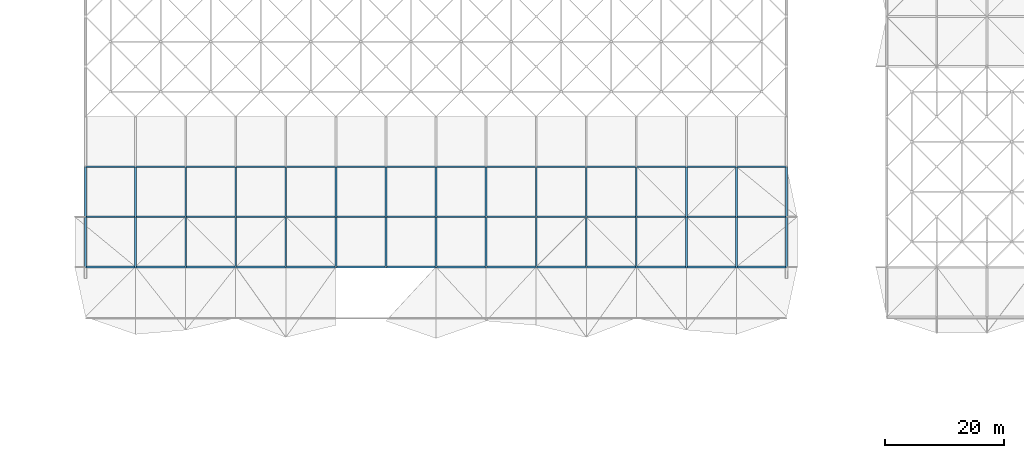
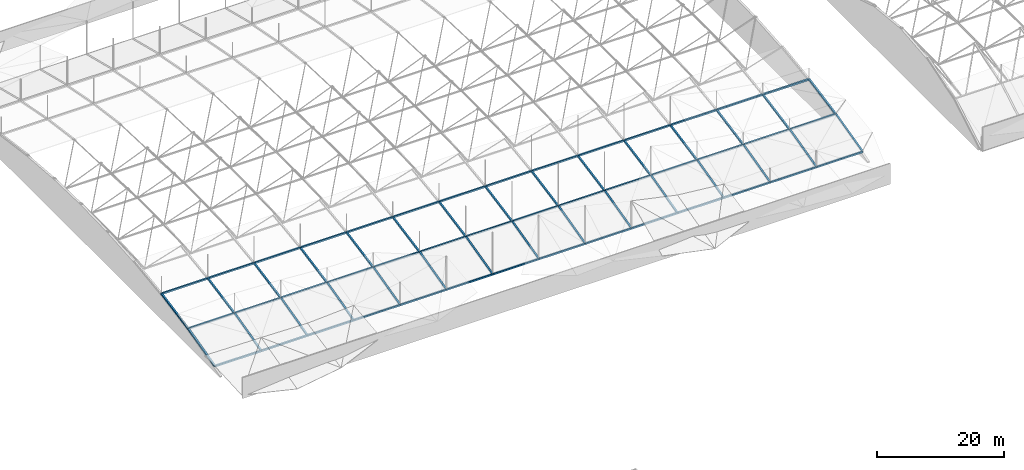
# One storey, part 1 of 111: 72 members.
"""IFC4 building model written with IfcOpenShell, lengths in metres."""

import ifcopenshell
import ifcopenshell.guid

model = None  # the IFC model being written
_history = None  # IfcOwnerHistory: only IFC2X3 demands one
_inside = {}  # id of a spatial element -> (the spatial element, [elements in it])
_under = {}  # id of a project, library or spatial element -> (it, [spatial elements below it])
_declared = {}  # id of a project -> (the project, [libraries it declares])
_typed = {}  # id of a type object -> (the type object, [elements of that type])
_made_of = {}  # id of a material, layer set ... -> (it, [elements and type objects made of it])


def new_model(schema):
    """Start an empty IFC model of exactly this schema.

    Asked for "IFC4X3", IfcOpenShell would pick the latest addendum, in which some entities
    have other attributes; the version numbers below select the first issue.
    IFC2X3 requires an IfcOwnerHistory on every rooted entity: one is made here for all.
    """
    global model, _history
    if schema == "IFC4X3":
        model = ifcopenshell.file(schema_version=(4, 3, 0, 0))
    else:
        model = ifcopenshell.file(schema=schema)
    _inside.clear()
    _under.clear()
    _declared.clear()
    _typed.clear()
    _made_of.clear()
    _history = None
    if model.schema == "IFC2X3":
        org = make("IfcOrganization", Name="unknown")
        user = make(
            "IfcPersonAndOrganization",
            ThePerson=make("IfcPerson", FamilyName="unknown"),
            TheOrganization=org,
        )
        app = make(
            "IfcApplication",
            ApplicationDeveloper=org,
            Version="unknown",
            ApplicationFullName="unknown",
            ApplicationIdentifier="unknown",
        )
        _history = make(
            "IfcOwnerHistory",
            OwningUser=user,
            OwningApplication=app,
            ChangeAction="ADDED",
            CreationDate=0,
        )
    return model


def make(cls, **values):
    """One entity of the class cls with the attributes given. An attribute that is None is left unset."""
    return model.create_entity(
        cls, **{name: value for name, value in values.items() if value is not None}
    )


def rooted(cls, **values):
    """An entity with a GlobalId (a new one), such as an element, a storey or a relation."""
    return make(cls, GlobalId=ifcopenshell.guid.new(), OwnerHistory=_history, **values)


def si_unit(unit_type, name, prefix=None):
    """IfcSIUnit, for example si_unit("LENGTHUNIT", "METRE", prefix="MILLI")."""
    return make("IfcSIUnit", UnitType=unit_type, Prefix=prefix, Name=name)


def assignment(units):
    """IfcUnitAssignment: the units of a project."""
    return None if units is None else make("IfcUnitAssignment", Units=units)


def point(xyz):
    """IfcCartesianPoint."""
    return None if xyz is None else make("IfcCartesianPoint", Coordinates=xyz)


def direction(xyz):
    """IfcDirection."""
    return None if xyz is None else make("IfcDirection", DirectionRatios=xyz)


def frame(location, z_axis=None, x_axis=None):
    """IfcAxis2Placement3D, a coordinate frame: its origin and axes. An axis left out is left unset."""
    return make(
        "IfcAxis2Placement3D",
        Location=point(location),
        Axis=direction(z_axis),
        RefDirection=direction(x_axis),
    )


def frame_2d(location, x_axis=None):
    """IfcAxis2Placement2D, a coordinate frame in the plane: its origin and x axis."""
    return make(
        "IfcAxis2Placement2D", Location=point(location), RefDirection=direction(x_axis)
    )


def origin():
    """The frame at (0, 0, 0) with its axes left unset."""
    return frame((0.0, 0.0, 0.0))


def origin_2d():
    """The frame at (0, 0) in the plane with its x axis left unset."""
    return frame_2d((0.0, 0.0))


def place(relative_to, where):
    """IfcLocalPlacement: puts the frame where relative to a parent placement (None: the world)."""
    return make(
        "IfcLocalPlacement", PlacementRelTo=relative_to, RelativePlacement=where
    )


def context(
    kind, dimensions, precision=None, world=None, true_north=None, identifier=None
):
    """IfcGeometricRepresentationContext, for example the 3D "Model" context."""
    return make(
        "IfcGeometricRepresentationContext",
        ContextIdentifier=identifier,
        ContextType=kind,
        CoordinateSpaceDimension=dimensions,
        Precision=precision,
        WorldCoordinateSystem=world,
        TrueNorth=true_north,
    )


def subcontext(parent, identifier, kind, view, scale=None):
    """IfcGeometricRepresentationSubContext, for example "Body" below "Model"."""
    return make(
        "IfcGeometricRepresentationSubContext",
        ContextIdentifier=identifier,
        ContextType=kind,
        ParentContext=parent,
        TargetScale=scale,
        TargetView=view,
    )


def project(units=None, contexts=None):
    """IfcProject with its units and contexts."""
    return rooted(
        "IfcProject",
        Name="project",
        RepresentationContexts=contexts,
        UnitsInContext=assignment(units),
    )


def spatial(cls, under=None, at=None, **own):
    """A site, building, storey or space (cls), placed at a placement, below another one or the project."""
    s = rooted(cls, ObjectPlacement=at, **own)
    if under is not None:
        _under.setdefault(under.id(), (under, []))[1].append(s)
    return s


def profile(cls, at=None, kind="AREA", **sizes):
    """A parametric profile (cls). Its sizes go by their IFC names, for example OverallWidth=200.0."""
    return make(cls, ProfileType=kind, Position=at, **sizes)


def hollow_rectangle(**sizes):
    """IfcRectangleHollowProfileDef."""
    return profile("IfcRectangleHollowProfileDef", **sizes)


def extrude(swept, where, along, depth):
    """IfcExtrudedAreaSolid: the profile swept, set in the frame where, extruded along a direction by depth."""
    return make(
        "IfcExtrudedAreaSolid",
        SweptArea=swept,
        Position=where,
        ExtrudedDirection=direction(along),
        Depth=depth,
    )


def shape(context_of_items, identifier, shape_type, items):
    """IfcShapeRepresentation: the items that make up one representation, for example the "Body"."""
    return make(
        "IfcShapeRepresentation",
        ContextOfItems=context_of_items,
        RepresentationIdentifier=identifier,
        RepresentationType=shape_type,
        Items=items,
    )


def material(Name=None, Category=None):
    """IfcMaterial."""
    return make("IfcMaterial", Name=Name, Category=Category)


def material_profile(
    of_material, cross_section, Name=None, Category=None, Priority=None
):
    """IfcMaterialProfile: a cross section and its material."""
    return make(
        "IfcMaterialProfile",
        Name=Name,
        Material=of_material,
        Profile=cross_section,
        Priority=Priority,
        Category=Category,
    )


def profile_set(profiles, Name=None, composite=None):
    """IfcMaterialProfileSet."""
    return make(
        "IfcMaterialProfileSet",
        Name=Name,
        MaterialProfiles=profiles,
        CompositeProfile=composite,
    )


def made_of(thing, what):
    """Note that an element or type object is made of a material, layer set ...; save() writes the relation."""
    if what is not None:
        _made_of.setdefault(what.id(), (what, []))[1].append(thing)
    return thing


def type_object(cls, material=None, **own):
    """A type object (cls), such as IfcWallType, which elements share."""
    return made_of(rooted(cls, **own), material)


def element(
    cls,
    number,
    at=None,
    inside=None,
    cuts=None,
    type_object=None,
    material=None,
    context=None,
    identifier="Body",
    shape_type=None,
    held_by="IfcProductDefinitionShape",
    body=None,
    shapes=None,
    **own,
):
    """One element of the class cls, such as IfcWall. Its Tag is "e" and its number.

    at: its placement. inside: the storey or other place that contains it. cuts: it is an
    opening in that element (IfcRelVoidsElement). A single representation is given by context,
    identifier, shape_type and body (its items); several are given by shapes. held_by: the class
    of the entity that holds the representations. save() writes the other relations.
    """
    e = rooted(cls, Tag="e%d" % number, ObjectPlacement=at, **own)
    if body is not None:
        shapes = [shape(context, identifier, shape_type, body)]
    if shapes is not None:
        e.Representation = make(held_by, Representations=shapes)
    if inside is not None:
        _inside.setdefault(inside.id(), (inside, []))[1].append(e)
    if cuts is not None:
        rooted(
            "IfcRelVoidsElement", RelatingBuildingElement=cuts, RelatedOpeningElement=e
        )
    if type_object is not None:
        _typed.setdefault(type_object.id(), (type_object, []))[1].append(e)
    return made_of(e, material)


def aggregate(whole, parts):
    """IfcRelAggregates: a whole, such as a stair, and the parts it consists of."""
    return rooted("IfcRelAggregates", RelatingObject=whole, RelatedObjects=parts)


def save(model, path):
    """Write the relations noted so far, then the file.

    IfcRelAggregates (storeys below a building ...), IfcRelContainedInSpatialStructure (elements
    in a storey), IfcRelDefinesByType, IfcRelAssociatesMaterial and IfcRelDeclares: one each for
    every whole, place, type object, material and project.
    """
    for whole, parts in _under.values():
        aggregate(whole, parts)
    for where, things in _inside.values():
        rooted(
            "IfcRelContainedInSpatialStructure",
            RelatedElements=things,
            RelatingStructure=where,
        )
    for kind, things in _typed.values():
        rooted("IfcRelDefinesByType", RelatedObjects=things, RelatingType=kind)
    for what, things in _made_of.values():
        rooted("IfcRelAssociatesMaterial", RelatedObjects=things, RelatingMaterial=what)
    for by, libraries in _declared.values():
        rooted("IfcRelDeclares", RelatingContext=by, RelatedDefinitions=libraries)
    model.write(path)


model = new_model("IFC4")

# Units and contexts
model_context = context("Model", 3, precision=1e-05, world=origin(), true_north=direction((0.0, 1.0)))
body_context = subcontext(model_context, "Body", "Model", "MODEL_VIEW")
ifc_project = project(units=[si_unit("LENGTHUNIT", "METRE"), si_unit("AREAUNIT", "SQUARE_METRE"), si_unit("VOLUMEUNIT", "CUBIC_METRE"), si_unit("PLANEANGLEUNIT", "RADIAN"), si_unit("MASSUNIT", "GRAM", prefix="KILO")], contexts=[model_context])

# Site, building, storey
site_placement = place(None, origin())
site = spatial("IfcSite", under=ifc_project, at=site_placement, CompositionType="ELEMENT")
building_placement = place(site_placement, origin())
building = spatial("IfcBuilding", under=site, at=building_placement, Name="Rain Tree Exposition and Congress Centre", CompositionType="ELEMENT")
storey_placement = place(building_placement, frame((0.0, 0.0, 19.5)))
storey = spatial("IfcBuildingStorey", under=building, at=storey_placement, Name="RF", CompositionType="ELEMENT", Elevation=19.5)

# Members
ifc_material = material(Name="Steel S355J2H", Category="steel")
ifc_material_profile = material_profile(ifc_material, hollow_rectangle(XDim=0.300048828125, YDim=0.300048828125, WallThickness=0.009033203125, at=origin_2d()), Name="RHS 300x300x9")
ifc_profile_set = profile_set([ifc_material_profile], Name="Steel S355J2H")
member_type = type_object("IfcMemberType", Name="Steel chord member RHS 300x300x9", PredefinedType="CHORD", material=ifc_profile_set)
member_1_placement = place(storey_placement, frame((8.39990234375, 109.199951171875, 0.966796875), z_axis=(1.0, 0.0, 0.0), x_axis=(0.0, 1.0, 0.0)))
element("IfcMember", 1, at=member_1_placement, inside=storey, type_object=member_type, Name="Top chord 15", PredefinedType="CHORD", context=body_context, shape_type="SweptSolid", body=[
    extrude(hollow_rectangle(XDim=0.300048828125, YDim=0.300048828125, WallThickness=0.009033203125, at=origin_2d()), origin(), (0.0, 0.0, 1.0), 8.400146484375),
])
member_2_placement = place(storey_placement, frame((16.800048828125, 109.199951171875, 0.966796875), z_axis=(1.0, 0.0, 0.0), x_axis=(0.0, 1.0, 0.0)))
element("IfcMember", 2, at=member_2_placement, inside=storey, type_object=member_type, Name="Top chord 16", PredefinedType="CHORD", context=body_context, shape_type="SweptSolid", body=[
    extrude(hollow_rectangle(XDim=0.300048828125, YDim=0.300048828125, WallThickness=0.009033203125, at=origin_2d()), origin(), (0.0, 0.0, 1.0), 8.39990234375),
])
member_3_placement = place(storey_placement, frame((25.199951171875, 109.199951171875, 0.966796875), z_axis=(1.0, 0.0, 0.0), x_axis=(0.0, 1.0, 0.0)))
element("IfcMember", 3, at=member_3_placement, inside=storey, type_object=member_type, Name="Top chord 17", PredefinedType="CHORD", context=body_context, shape_type="SweptSolid", body=[
    extrude(hollow_rectangle(XDim=0.300048828125, YDim=0.300048828125, WallThickness=0.009033203125, at=origin_2d()), origin(), (0.0, 0.0, 1.0), 8.400146484375),
])
for number, where, z_axis, x_axis, name in (
    (4, (33.60009765625, 109.199951171875, 0.966796875), (1.0, 0.0, 0.0), (0.0, 1.0, 0.0), "Top chord 18"),
    (5, (42.0, 109.199951171875, 0.966796875), (1.0, 0.0, 0.0), (0.0, 1.0, 0.0), "Top chord 19"),
):
    element("IfcMember", number, at=place(storey_placement, frame(where, z_axis=z_axis, x_axis=x_axis)), inside=storey, type_object=member_type, Name=name, PredefinedType="CHORD", context=body_context, shape_type="SweptSolid", body=[
        extrude(hollow_rectangle(XDim=0.300048828125, YDim=0.300048828125, WallThickness=0.009033203125, at=origin_2d()), origin(), (0.0, 0.0, 1.0), 8.39990234375),
    ])
member_4_placement = place(storey_placement, frame((50.39990234375, 109.199951171875, 0.966796875), z_axis=(1.0, 0.0, 0.0), x_axis=(0.0, 1.0, 0.0)))
element("IfcMember", 6, at=member_4_placement, inside=storey, type_object=member_type, Name="Top chord 20", PredefinedType="CHORD", context=body_context, shape_type="SweptSolid", body=[
    extrude(hollow_rectangle(XDim=0.300048828125, YDim=0.300048828125, WallThickness=0.009033203125, at=origin_2d()), origin(), (0.0, 0.0, 1.0), 8.400146484375),
])
member_5_placement = place(storey_placement, frame((58.800048828125, 109.199951171875, 0.966796875), z_axis=(1.0, 0.0, 0.0), x_axis=(0.0, 1.0, 0.0)))
element("IfcMember", 7, at=member_5_placement, inside=storey, type_object=member_type, Name="Top chord 21", PredefinedType="CHORD", context=body_context, shape_type="SweptSolid", body=[
    extrude(hollow_rectangle(XDim=0.300048828125, YDim=0.300048828125, WallThickness=0.009033203125, at=origin_2d()), origin(), (0.0, 0.0, 1.0), 8.39990234375),
])
member_6_placement = place(storey_placement, frame((67.199951171875, 109.199951171875, 0.966796875), z_axis=(1.0, 0.0, 0.0), x_axis=(0.0, 1.0, 0.0)))
element("IfcMember", 8, at=member_6_placement, inside=storey, type_object=member_type, Name="Top chord 22", PredefinedType="CHORD", context=body_context, shape_type="SweptSolid", body=[
    extrude(hollow_rectangle(XDim=0.300048828125, YDim=0.300048828125, WallThickness=0.009033203125, at=origin_2d()), origin(), (0.0, 0.0, 1.0), 8.400146484375),
])
for number, where, z_axis, x_axis, name in (
    (9, (75.60009765625, 109.199951171875, 0.966796875), (1.0, 0.0, 0.0), (0.0, 1.0, 0.0), "Top chord 23"),
    (10, (84.0, 109.199951171875, 0.966796875), (1.0, 0.0, 0.0), (0.0, 1.0, 0.0), "Top chord 24"),
):
    element("IfcMember", number, at=place(storey_placement, frame(where, z_axis=z_axis, x_axis=x_axis)), inside=storey, type_object=member_type, Name=name, PredefinedType="CHORD", context=body_context, shape_type="SweptSolid", body=[
        extrude(hollow_rectangle(XDim=0.300048828125, YDim=0.300048828125, WallThickness=0.009033203125, at=origin_2d()), origin(), (0.0, 0.0, 1.0), 8.39990234375),
    ])
member_7_placement = place(storey_placement, frame((92.39990234375, 109.199951171875, 0.966796875), z_axis=(1.0, 0.0, 0.0), x_axis=(0.0, 1.0, 0.0)))
element("IfcMember", 11, at=member_7_placement, inside=storey, type_object=member_type, Name="Top chord 25", PredefinedType="CHORD", context=body_context, shape_type="SweptSolid", body=[
    extrude(hollow_rectangle(XDim=0.300048828125, YDim=0.300048828125, WallThickness=0.009033203125, at=origin_2d()), origin(), (0.0, 0.0, 1.0), 8.400146484375),
])
member_8_placement = place(storey_placement, frame((100.800048828125, 109.199951171875, 0.966796875), z_axis=(1.0, 0.0, 0.0), x_axis=(0.0, 1.0, 0.0)))
element("IfcMember", 12, at=member_8_placement, inside=storey, type_object=member_type, Name="Top chord 26", PredefinedType="CHORD", context=body_context, shape_type="SweptSolid", body=[
    extrude(hollow_rectangle(XDim=0.300048828125, YDim=0.300048828125, WallThickness=0.009033203125, at=origin_2d()), origin(), (0.0, 0.0, 1.0), 8.39990234375),
])
member_9_placement = place(storey_placement, frame((109.199951171875, 109.199951171875, 0.966796875), z_axis=(1.0, 0.0, 0.0), x_axis=(0.0, 1.0, 0.0)))
element("IfcMember", 13, at=member_9_placement, inside=storey, type_object=member_type, Name="Top chord 27", PredefinedType="CHORD", context=body_context, shape_type="SweptSolid", body=[
    extrude(hollow_rectangle(XDim=0.300048828125, YDim=0.300048828125, WallThickness=0.009033203125, at=origin_2d()), origin(), (0.0, 0.0, 1.0), 8.400146484375),
])
member_10_placement = place(storey_placement, frame((117.60009765625, 109.199951171875, 0.966796875), z_axis=(1.0, 0.0, 0.0), x_axis=(0.0, 1.0, 0.0)))
element("IfcMember", 14, at=member_10_placement, inside=storey, type_object=member_type, Name="Top chord 28", PredefinedType="CHORD", context=body_context, shape_type="SweptSolid", body=[
    extrude(hollow_rectangle(XDim=0.300048828125, YDim=0.300048828125, WallThickness=0.009033203125, at=origin_2d()), origin(), (0.0, 0.0, 1.0), 8.39990234375),
])
member_11_placement = place(storey_placement, frame((8.39990234375, 117.60009765625, 3.07421875), z_axis=(1.0, 0.0, 0.0), x_axis=(0.0, 1.0, 0.0)))
element("IfcMember", 15, at=member_11_placement, inside=storey, type_object=member_type, Name="Top chord 29", PredefinedType="CHORD", context=body_context, shape_type="SweptSolid", body=[
    extrude(hollow_rectangle(XDim=0.300048828125, YDim=0.300048828125, WallThickness=0.009033203125, at=origin_2d()), origin(), (0.0, 0.0, 1.0), 8.400146484375),
])
member_12_placement = place(storey_placement, frame((16.800048828125, 117.60009765625, 3.07421875), z_axis=(1.0, 0.0, 0.0), x_axis=(0.0, 1.0, 0.0)))
element("IfcMember", 16, at=member_12_placement, inside=storey, type_object=member_type, Name="Top chord 30", PredefinedType="CHORD", context=body_context, shape_type="SweptSolid", body=[
    extrude(hollow_rectangle(XDim=0.300048828125, YDim=0.300048828125, WallThickness=0.009033203125, at=origin_2d()), origin(), (0.0, 0.0, 1.0), 8.39990234375),
])
member_13_placement = place(storey_placement, frame((25.199951171875, 117.60009765625, 3.07421875), z_axis=(1.0, 0.0, 0.0), x_axis=(0.0, 1.0, 0.0)))
element("IfcMember", 17, at=member_13_placement, inside=storey, type_object=member_type, Name="Top chord 31", PredefinedType="CHORD", context=body_context, shape_type="SweptSolid", body=[
    extrude(hollow_rectangle(XDim=0.300048828125, YDim=0.300048828125, WallThickness=0.009033203125, at=origin_2d()), origin(), (0.0, 0.0, 1.0), 8.400146484375),
])
for number, where, z_axis, x_axis, name in (
    (18, (33.60009765625, 117.60009765625, 3.07421875), (1.0, 0.0, 0.0), (0.0, 1.0, 0.0), "Top chord 32"),
    (19, (42.0, 117.60009765625, 3.07421875), (1.0, 0.0, 0.0), (0.0, 1.0, 0.0), "Top chord 33"),
):
    element("IfcMember", number, at=place(storey_placement, frame(where, z_axis=z_axis, x_axis=x_axis)), inside=storey, type_object=member_type, Name=name, PredefinedType="CHORD", context=body_context, shape_type="SweptSolid", body=[
        extrude(hollow_rectangle(XDim=0.300048828125, YDim=0.300048828125, WallThickness=0.009033203125, at=origin_2d()), origin(), (0.0, 0.0, 1.0), 8.39990234375),
    ])
member_14_placement = place(storey_placement, frame((50.39990234375, 117.60009765625, 3.07421875), z_axis=(1.0, 0.0, 0.0), x_axis=(0.0, 1.0, 0.0)))
element("IfcMember", 20, at=member_14_placement, inside=storey, type_object=member_type, Name="Top chord 34", PredefinedType="CHORD", context=body_context, shape_type="SweptSolid", body=[
    extrude(hollow_rectangle(XDim=0.300048828125, YDim=0.300048828125, WallThickness=0.009033203125, at=origin_2d()), origin(), (0.0, 0.0, 1.0), 8.400146484375),
])
member_15_placement = place(storey_placement, frame((58.800048828125, 117.60009765625, 3.07421875), z_axis=(1.0, 0.0, 0.0), x_axis=(0.0, 1.0, 0.0)))
element("IfcMember", 21, at=member_15_placement, inside=storey, type_object=member_type, Name="Top chord 35", PredefinedType="CHORD", context=body_context, shape_type="SweptSolid", body=[
    extrude(hollow_rectangle(XDim=0.300048828125, YDim=0.300048828125, WallThickness=0.009033203125, at=origin_2d()), origin(), (0.0, 0.0, 1.0), 8.39990234375),
])
member_16_placement = place(storey_placement, frame((67.199951171875, 117.60009765625, 3.07421875), z_axis=(1.0, 0.0, 0.0), x_axis=(0.0, 1.0, 0.0)))
element("IfcMember", 22, at=member_16_placement, inside=storey, type_object=member_type, Name="Top chord 36", PredefinedType="CHORD", context=body_context, shape_type="SweptSolid", body=[
    extrude(hollow_rectangle(XDim=0.300048828125, YDim=0.300048828125, WallThickness=0.009033203125, at=origin_2d()), origin(), (0.0, 0.0, 1.0), 8.400146484375),
])
for number, where, z_axis, x_axis, name in (
    (23, (75.60009765625, 117.60009765625, 3.07421875), (1.0, 0.0, 0.0), (0.0, 1.0, 0.0), "Top chord 37"),
    (24, (84.0, 117.60009765625, 3.07421875), (1.0, 0.0, 0.0), (0.0, 1.0, 0.0), "Top chord 38"),
):
    element("IfcMember", number, at=place(storey_placement, frame(where, z_axis=z_axis, x_axis=x_axis)), inside=storey, type_object=member_type, Name=name, PredefinedType="CHORD", context=body_context, shape_type="SweptSolid", body=[
        extrude(hollow_rectangle(XDim=0.300048828125, YDim=0.300048828125, WallThickness=0.009033203125, at=origin_2d()), origin(), (0.0, 0.0, 1.0), 8.39990234375),
    ])
member_17_placement = place(storey_placement, frame((92.39990234375, 117.60009765625, 3.07421875), z_axis=(1.0, 0.0, 0.0), x_axis=(0.0, 1.0, 0.0)))
element("IfcMember", 25, at=member_17_placement, inside=storey, type_object=member_type, Name="Top chord 39", PredefinedType="CHORD", context=body_context, shape_type="SweptSolid", body=[
    extrude(hollow_rectangle(XDim=0.300048828125, YDim=0.300048828125, WallThickness=0.009033203125, at=origin_2d()), origin(), (0.0, 0.0, 1.0), 8.400146484375),
])
member_18_placement = place(storey_placement, frame((100.800048828125, 117.60009765625, 3.07421875), z_axis=(1.0, 0.0, 0.0), x_axis=(0.0, 1.0, 0.0)))
element("IfcMember", 26, at=member_18_placement, inside=storey, type_object=member_type, Name="Top chord 40", PredefinedType="CHORD", context=body_context, shape_type="SweptSolid", body=[
    extrude(hollow_rectangle(XDim=0.300048828125, YDim=0.300048828125, WallThickness=0.009033203125, at=origin_2d()), origin(), (0.0, 0.0, 1.0), 8.39990234375),
])
member_19_placement = place(storey_placement, frame((109.199951171875, 117.60009765625, 3.07421875), z_axis=(1.0, 0.0, 0.0), x_axis=(0.0, 1.0, 0.0)))
element("IfcMember", 27, at=member_19_placement, inside=storey, type_object=member_type, Name="Top chord 41", PredefinedType="CHORD", context=body_context, shape_type="SweptSolid", body=[
    extrude(hollow_rectangle(XDim=0.300048828125, YDim=0.300048828125, WallThickness=0.009033203125, at=origin_2d()), origin(), (0.0, 0.0, 1.0), 8.400146484375),
])
member_20_placement = place(storey_placement, frame((117.60009765625, 117.60009765625, 3.07421875), z_axis=(1.0, 0.0, 0.0), x_axis=(0.0, 1.0, 0.0)))
element("IfcMember", 28, at=member_20_placement, inside=storey, type_object=member_type, Name="Top chord 42", PredefinedType="CHORD", context=body_context, shape_type="SweptSolid", body=[
    extrude(hollow_rectangle(XDim=0.300048828125, YDim=0.300048828125, WallThickness=0.009033203125, at=origin_2d()), origin(), (0.0, 0.0, 1.0), 8.39990234375),
])
member_21_placement = place(storey_placement, frame((8.39990234375, 126.0, 4.693115234375), z_axis=(1.0, 0.0, 0.0), x_axis=(0.0, 1.0, 0.0)))
element("IfcMember", 29, at=member_21_placement, inside=storey, type_object=member_type, Name="Top chord 43", PredefinedType="CHORD", context=body_context, shape_type="SweptSolid", body=[
    extrude(hollow_rectangle(XDim=0.300048828125, YDim=0.300048828125, WallThickness=0.009033203125, at=origin_2d()), origin(), (0.0, 0.0, 1.0), 8.400146484375),
])
member_22_placement = place(storey_placement, frame((16.800048828125, 126.0, 4.693115234375), z_axis=(1.0, 0.0, 0.0), x_axis=(0.0, 1.0, 0.0)))
element("IfcMember", 30, at=member_22_placement, inside=storey, type_object=member_type, Name="Top chord 44", PredefinedType="CHORD", context=body_context, shape_type="SweptSolid", body=[
    extrude(hollow_rectangle(XDim=0.300048828125, YDim=0.300048828125, WallThickness=0.009033203125, at=origin_2d()), origin(), (0.0, 0.0, 1.0), 8.39990234375),
])
member_23_placement = place(storey_placement, frame((25.199951171875, 126.0, 4.693115234375), z_axis=(1.0, 0.0, 0.0), x_axis=(0.0, 1.0, 0.0)))
element("IfcMember", 31, at=member_23_placement, inside=storey, type_object=member_type, Name="Top chord 45", PredefinedType="CHORD", context=body_context, shape_type="SweptSolid", body=[
    extrude(hollow_rectangle(XDim=0.300048828125, YDim=0.300048828125, WallThickness=0.009033203125, at=origin_2d()), origin(), (0.0, 0.0, 1.0), 8.400146484375),
])
for number, where, z_axis, x_axis, name in (
    (32, (33.60009765625, 126.0, 4.693115234375), (1.0, 0.0, 0.0), (0.0, 1.0, 0.0), "Top chord 46"),
    (33, (42.0, 126.0, 4.693115234375), (1.0, 0.0, 0.0), (0.0, 1.0, 0.0), "Top chord 47"),
):
    element("IfcMember", number, at=place(storey_placement, frame(where, z_axis=z_axis, x_axis=x_axis)), inside=storey, type_object=member_type, Name=name, PredefinedType="CHORD", context=body_context, shape_type="SweptSolid", body=[
        extrude(hollow_rectangle(XDim=0.300048828125, YDim=0.300048828125, WallThickness=0.009033203125, at=origin_2d()), origin(), (0.0, 0.0, 1.0), 8.39990234375),
    ])
member_24_placement = place(storey_placement, frame((50.39990234375, 126.0, 4.693115234375), z_axis=(1.0, 0.0, 0.0), x_axis=(0.0, 1.0, 0.0)))
element("IfcMember", 34, at=member_24_placement, inside=storey, type_object=member_type, Name="Top chord 48", PredefinedType="CHORD", context=body_context, shape_type="SweptSolid", body=[
    extrude(hollow_rectangle(XDim=0.300048828125, YDim=0.300048828125, WallThickness=0.009033203125, at=origin_2d()), origin(), (0.0, 0.0, 1.0), 8.400146484375),
])
member_25_placement = place(storey_placement, frame((58.800048828125, 126.0, 4.693115234375), z_axis=(1.0, 0.0, 0.0), x_axis=(0.0, 1.0, 0.0)))
element("IfcMember", 35, at=member_25_placement, inside=storey, type_object=member_type, Name="Top chord 49", PredefinedType="CHORD", context=body_context, shape_type="SweptSolid", body=[
    extrude(hollow_rectangle(XDim=0.300048828125, YDim=0.300048828125, WallThickness=0.009033203125, at=origin_2d()), origin(), (0.0, 0.0, 1.0), 8.39990234375),
])
member_26_placement = place(storey_placement, frame((67.199951171875, 126.0, 4.693115234375), z_axis=(1.0, 0.0, 0.0), x_axis=(0.0, 1.0, 0.0)))
element("IfcMember", 36, at=member_26_placement, inside=storey, type_object=member_type, Name="Top chord 50", PredefinedType="CHORD", context=body_context, shape_type="SweptSolid", body=[
    extrude(hollow_rectangle(XDim=0.300048828125, YDim=0.300048828125, WallThickness=0.009033203125, at=origin_2d()), origin(), (0.0, 0.0, 1.0), 8.400146484375),
])
for number, where, z_axis, x_axis, name in (
    (37, (75.60009765625, 126.0, 4.693115234375), (1.0, 0.0, 0.0), (0.0, 1.0, 0.0), "Top chord 51"),
    (38, (84.0, 126.0, 4.693115234375), (1.0, 0.0, 0.0), (0.0, 1.0, 0.0), "Top chord 52"),
):
    element("IfcMember", number, at=place(storey_placement, frame(where, z_axis=z_axis, x_axis=x_axis)), inside=storey, type_object=member_type, Name=name, PredefinedType="CHORD", context=body_context, shape_type="SweptSolid", body=[
        extrude(hollow_rectangle(XDim=0.300048828125, YDim=0.300048828125, WallThickness=0.009033203125, at=origin_2d()), origin(), (0.0, 0.0, 1.0), 8.39990234375),
    ])
member_27_placement = place(storey_placement, frame((92.39990234375, 126.0, 4.693115234375), z_axis=(1.0, 0.0, 0.0), x_axis=(0.0, 1.0, 0.0)))
element("IfcMember", 39, at=member_27_placement, inside=storey, type_object=member_type, Name="Top chord 53", PredefinedType="CHORD", context=body_context, shape_type="SweptSolid", body=[
    extrude(hollow_rectangle(XDim=0.300048828125, YDim=0.300048828125, WallThickness=0.009033203125, at=origin_2d()), origin(), (0.0, 0.0, 1.0), 8.400146484375),
])
member_28_placement = place(storey_placement, frame((100.800048828125, 126.0, 4.693115234375), z_axis=(1.0, 0.0, 0.0), x_axis=(0.0, 1.0, 0.0)))
element("IfcMember", 40, at=member_28_placement, inside=storey, type_object=member_type, Name="Top chord 54", PredefinedType="CHORD", context=body_context, shape_type="SweptSolid", body=[
    extrude(hollow_rectangle(XDim=0.300048828125, YDim=0.300048828125, WallThickness=0.009033203125, at=origin_2d()), origin(), (0.0, 0.0, 1.0), 8.39990234375),
])
member_29_placement = place(storey_placement, frame((109.199951171875, 126.0, 4.693115234375), z_axis=(1.0, 0.0, 0.0), x_axis=(0.0, 1.0, 0.0)))
element("IfcMember", 41, at=member_29_placement, inside=storey, type_object=member_type, Name="Top chord 55", PredefinedType="CHORD", context=body_context, shape_type="SweptSolid", body=[
    extrude(hollow_rectangle(XDim=0.300048828125, YDim=0.300048828125, WallThickness=0.009033203125, at=origin_2d()), origin(), (0.0, 0.0, 1.0), 8.400146484375),
])
member_30_placement = place(storey_placement, frame((117.60009765625, 126.0, 4.693115234375), z_axis=(1.0, 0.0, 0.0), x_axis=(0.0, 1.0, 0.0)))
element("IfcMember", 42, at=member_30_placement, inside=storey, type_object=member_type, Name="Top chord 56", PredefinedType="CHORD", context=body_context, shape_type="SweptSolid", body=[
    extrude(hollow_rectangle(XDim=0.300048828125, YDim=0.300048828125, WallThickness=0.009033203125, at=origin_2d()), origin(), (0.0, 0.0, 1.0), 8.39990234375),
])
member_31_placement = place(storey_placement, frame((8.39990234375, 109.199951171875, 0.966796875), z_axis=(0.0, 0.969941519991, 0.243338134698), x_axis=(-1.0, 0.0, 0.0)))
element("IfcMember", 43, at=member_31_placement, inside=storey, type_object=member_type, Name="Top chord 184", PredefinedType="CHORD", context=body_context, shape_type="SweptSolid", body=[
    extrude(hollow_rectangle(XDim=0.300048828125, YDim=0.300048828125, WallThickness=0.009033203125, at=origin_2d()), origin(), (0.0, 0.0, 1.0), 8.660400390625),
])
member_32_placement = place(storey_placement, frame((8.39990234375, 117.60009765625, 3.07421875), z_axis=(0.0, 0.981929826741, 0.189245383977), x_axis=(-1.0, 0.0, 0.0)))
element("IfcMember", 44, at=member_32_placement, inside=storey, type_object=member_type, Name="Top chord 185", PredefinedType="CHORD", context=body_context, shape_type="SweptSolid", body=[
    extrude(hollow_rectangle(XDim=0.300048828125, YDim=0.300048828125, WallThickness=0.009033203125, at=origin_2d()), origin(), (0.0, 0.0, 1.0), 8.554443359375),
])
member_33_placement = place(storey_placement, frame((16.800048828125, 109.199951171875, 0.966796875), z_axis=(0.0, 0.969941519991, 0.243338134698), x_axis=(-1.0, 0.0, 0.0)))
element("IfcMember", 45, at=member_33_placement, inside=storey, type_object=member_type, Name="Top chord 196", PredefinedType="CHORD", context=body_context, shape_type="SweptSolid", body=[
    extrude(hollow_rectangle(XDim=0.300048828125, YDim=0.300048828125, WallThickness=0.009033203125, at=origin_2d()), origin(), (0.0, 0.0, 1.0), 8.660400390625),
])
member_34_placement = place(storey_placement, frame((16.800048828125, 117.60009765625, 3.07421875), z_axis=(0.0, 0.981929826741, 0.189245383977), x_axis=(-1.0, 0.0, 0.0)))
element("IfcMember", 46, at=member_34_placement, inside=storey, type_object=member_type, Name="Top chord 197", PredefinedType="CHORD", context=body_context, shape_type="SweptSolid", body=[
    extrude(hollow_rectangle(XDim=0.300048828125, YDim=0.300048828125, WallThickness=0.009033203125, at=origin_2d()), origin(), (0.0, 0.0, 1.0), 8.554443359375),
])
member_35_placement = place(storey_placement, frame((25.199951171875, 109.199951171875, 0.966796875), z_axis=(0.0, 0.969941519991, 0.243338134698), x_axis=(-1.0, 0.0, 0.0)))
element("IfcMember", 47, at=member_35_placement, inside=storey, type_object=member_type, Name="Top chord 208", PredefinedType="CHORD", context=body_context, shape_type="SweptSolid", body=[
    extrude(hollow_rectangle(XDim=0.300048828125, YDim=0.300048828125, WallThickness=0.009033203125, at=origin_2d()), origin(), (0.0, 0.0, 1.0), 8.660400390625),
])
member_36_placement = place(storey_placement, frame((25.199951171875, 117.60009765625, 3.07421875), z_axis=(0.0, 0.981929826741, 0.189245383977), x_axis=(-1.0, 0.0, 0.0)))
element("IfcMember", 48, at=member_36_placement, inside=storey, type_object=member_type, Name="Top chord 209", PredefinedType="CHORD", context=body_context, shape_type="SweptSolid", body=[
    extrude(hollow_rectangle(XDim=0.300048828125, YDim=0.300048828125, WallThickness=0.009033203125, at=origin_2d()), origin(), (0.0, 0.0, 1.0), 8.554443359375),
])
member_37_placement = place(storey_placement, frame((33.60009765625, 109.199951171875, 0.966796875), z_axis=(0.0, 0.969941519991, 0.243338134698), x_axis=(-1.0, 0.0, 0.0)))
element("IfcMember", 49, at=member_37_placement, inside=storey, type_object=member_type, Name="Top chord 220", PredefinedType="CHORD", context=body_context, shape_type="SweptSolid", body=[
    extrude(hollow_rectangle(XDim=0.300048828125, YDim=0.300048828125, WallThickness=0.009033203125, at=origin_2d()), origin(), (0.0, 0.0, 1.0), 8.660400390625),
])
member_38_placement = place(storey_placement, frame((33.60009765625, 117.60009765625, 3.07421875), z_axis=(0.0, 0.981929826741, 0.189245383977), x_axis=(-1.0, 0.0, 0.0)))
element("IfcMember", 50, at=member_38_placement, inside=storey, type_object=member_type, Name="Top chord 221", PredefinedType="CHORD", context=body_context, shape_type="SweptSolid", body=[
    extrude(hollow_rectangle(XDim=0.300048828125, YDim=0.300048828125, WallThickness=0.009033203125, at=origin_2d()), origin(), (0.0, 0.0, 1.0), 8.554443359375),
])
member_39_placement = place(storey_placement, frame((42.0, 109.199951171875, 0.966796875), z_axis=(0.0, 0.969941519991, 0.243338134698), x_axis=(-1.0, 0.0, 0.0)))
element("IfcMember", 51, at=member_39_placement, inside=storey, type_object=member_type, Name="Top chord 232", PredefinedType="CHORD", context=body_context, shape_type="SweptSolid", body=[
    extrude(hollow_rectangle(XDim=0.300048828125, YDim=0.300048828125, WallThickness=0.009033203125, at=origin_2d()), origin(), (0.0, 0.0, 1.0), 8.660400390625),
])
member_40_placement = place(storey_placement, frame((42.0, 117.60009765625, 3.07421875), z_axis=(0.0, 0.981929826741, 0.189245383977), x_axis=(-1.0, 0.0, 0.0)))
element("IfcMember", 52, at=member_40_placement, inside=storey, type_object=member_type, Name="Top chord 233", PredefinedType="CHORD", context=body_context, shape_type="SweptSolid", body=[
    extrude(hollow_rectangle(XDim=0.300048828125, YDim=0.300048828125, WallThickness=0.009033203125, at=origin_2d()), origin(), (0.0, 0.0, 1.0), 8.554443359375),
])
member_41_placement = place(storey_placement, frame((50.39990234375, 109.199951171875, 0.966796875), z_axis=(0.0, 0.969941519991, 0.243338134698), x_axis=(-1.0, 0.0, 0.0)))
element("IfcMember", 53, at=member_41_placement, inside=storey, type_object=member_type, Name="Top chord 244", PredefinedType="CHORD", context=body_context, shape_type="SweptSolid", body=[
    extrude(hollow_rectangle(XDim=0.300048828125, YDim=0.300048828125, WallThickness=0.009033203125, at=origin_2d()), origin(), (0.0, 0.0, 1.0), 8.660400390625),
])
member_42_placement = place(storey_placement, frame((50.39990234375, 117.60009765625, 3.07421875), z_axis=(0.0, 0.981929826741, 0.189245383977), x_axis=(-1.0, 0.0, 0.0)))
element("IfcMember", 54, at=member_42_placement, inside=storey, type_object=member_type, Name="Top chord 245", PredefinedType="CHORD", context=body_context, shape_type="SweptSolid", body=[
    extrude(hollow_rectangle(XDim=0.300048828125, YDim=0.300048828125, WallThickness=0.009033203125, at=origin_2d()), origin(), (0.0, 0.0, 1.0), 8.554443359375),
])
member_43_placement = place(storey_placement, frame((58.800048828125, 109.199951171875, 0.966796875), z_axis=(0.0, 0.969941519991, 0.243338134698), x_axis=(-1.0, 0.0, 0.0)))
element("IfcMember", 55, at=member_43_placement, inside=storey, type_object=member_type, Name="Top chord 256", PredefinedType="CHORD", context=body_context, shape_type="SweptSolid", body=[
    extrude(hollow_rectangle(XDim=0.300048828125, YDim=0.300048828125, WallThickness=0.009033203125, at=origin_2d()), origin(), (0.0, 0.0, 1.0), 8.660400390625),
])
member_44_placement = place(storey_placement, frame((58.800048828125, 117.60009765625, 3.07421875), z_axis=(0.0, 0.981929826741, 0.189245383977), x_axis=(-1.0, 0.0, 0.0)))
element("IfcMember", 56, at=member_44_placement, inside=storey, type_object=member_type, Name="Top chord 257", PredefinedType="CHORD", context=body_context, shape_type="SweptSolid", body=[
    extrude(hollow_rectangle(XDim=0.300048828125, YDim=0.300048828125, WallThickness=0.009033203125, at=origin_2d()), origin(), (0.0, 0.0, 1.0), 8.554443359375),
])
member_45_placement = place(storey_placement, frame((67.199951171875, 109.199951171875, 0.966796875), z_axis=(0.0, 0.969941519991, 0.243338134698), x_axis=(-1.0, 0.0, 0.0)))
element("IfcMember", 57, at=member_45_placement, inside=storey, type_object=member_type, Name="Top chord 268", PredefinedType="CHORD", context=body_context, shape_type="SweptSolid", body=[
    extrude(hollow_rectangle(XDim=0.300048828125, YDim=0.300048828125, WallThickness=0.009033203125, at=origin_2d()), origin(), (0.0, 0.0, 1.0), 8.660400390625),
])
member_46_placement = place(storey_placement, frame((67.199951171875, 117.60009765625, 3.07421875), z_axis=(0.0, 0.981929826741, 0.189245383977), x_axis=(-1.0, 0.0, 0.0)))
element("IfcMember", 58, at=member_46_placement, inside=storey, type_object=member_type, Name="Top chord 269", PredefinedType="CHORD", context=body_context, shape_type="SweptSolid", body=[
    extrude(hollow_rectangle(XDim=0.300048828125, YDim=0.300048828125, WallThickness=0.009033203125, at=origin_2d()), origin(), (0.0, 0.0, 1.0), 8.554443359375),
])
member_47_placement = place(storey_placement, frame((75.60009765625, 109.199951171875, 0.966796875), z_axis=(0.0, 0.969941519991, 0.243338134698), x_axis=(-1.0, 0.0, 0.0)))
element("IfcMember", 59, at=member_47_placement, inside=storey, type_object=member_type, Name="Top chord 280", PredefinedType="CHORD", context=body_context, shape_type="SweptSolid", body=[
    extrude(hollow_rectangle(XDim=0.300048828125, YDim=0.300048828125, WallThickness=0.009033203125, at=origin_2d()), origin(), (0.0, 0.0, 1.0), 8.660400390625),
])
member_48_placement = place(storey_placement, frame((75.60009765625, 117.60009765625, 3.07421875), z_axis=(0.0, 0.981929826741, 0.189245383977), x_axis=(-1.0, 0.0, 0.0)))
element("IfcMember", 60, at=member_48_placement, inside=storey, type_object=member_type, Name="Top chord 281", PredefinedType="CHORD", context=body_context, shape_type="SweptSolid", body=[
    extrude(hollow_rectangle(XDim=0.300048828125, YDim=0.300048828125, WallThickness=0.009033203125, at=origin_2d()), origin(), (0.0, 0.0, 1.0), 8.554443359375),
])
member_49_placement = place(storey_placement, frame((84.0, 109.199951171875, 0.966796875), z_axis=(0.0, 0.969941519991, 0.243338134698), x_axis=(-1.0, 0.0, 0.0)))
element("IfcMember", 61, at=member_49_placement, inside=storey, type_object=member_type, Name="Top chord 292", PredefinedType="CHORD", context=body_context, shape_type="SweptSolid", body=[
    extrude(hollow_rectangle(XDim=0.300048828125, YDim=0.300048828125, WallThickness=0.009033203125, at=origin_2d()), origin(), (0.0, 0.0, 1.0), 8.660400390625),
])
member_50_placement = place(storey_placement, frame((84.0, 117.60009765625, 3.07421875), z_axis=(0.0, 0.981929826741, 0.189245383977), x_axis=(-1.0, 0.0, 0.0)))
element("IfcMember", 62, at=member_50_placement, inside=storey, type_object=member_type, Name="Top chord 293", PredefinedType="CHORD", context=body_context, shape_type="SweptSolid", body=[
    extrude(hollow_rectangle(XDim=0.300048828125, YDim=0.300048828125, WallThickness=0.009033203125, at=origin_2d()), origin(), (0.0, 0.0, 1.0), 8.554443359375),
])
member_51_placement = place(storey_placement, frame((92.39990234375, 109.199951171875, 0.966796875), z_axis=(0.0, 0.969941519991, 0.243338134698), x_axis=(-1.0, 0.0, 0.0)))
element("IfcMember", 63, at=member_51_placement, inside=storey, type_object=member_type, Name="Top chord 304", PredefinedType="CHORD", context=body_context, shape_type="SweptSolid", body=[
    extrude(hollow_rectangle(XDim=0.300048828125, YDim=0.300048828125, WallThickness=0.009033203125, at=origin_2d()), origin(), (0.0, 0.0, 1.0), 8.660400390625),
])
member_52_placement = place(storey_placement, frame((92.39990234375, 117.60009765625, 3.07421875), z_axis=(0.0, 0.981929826741, 0.189245383977), x_axis=(-1.0, 0.0, 0.0)))
element("IfcMember", 64, at=member_52_placement, inside=storey, type_object=member_type, Name="Top chord 305", PredefinedType="CHORD", context=body_context, shape_type="SweptSolid", body=[
    extrude(hollow_rectangle(XDim=0.300048828125, YDim=0.300048828125, WallThickness=0.009033203125, at=origin_2d()), origin(), (0.0, 0.0, 1.0), 8.554443359375),
])
member_53_placement = place(storey_placement, frame((100.800048828125, 109.199951171875, 0.966796875), z_axis=(0.0, 0.969941519991, 0.243338134698), x_axis=(-1.0, 0.0, 0.0)))
element("IfcMember", 65, at=member_53_placement, inside=storey, type_object=member_type, Name="Top chord 316", PredefinedType="CHORD", context=body_context, shape_type="SweptSolid", body=[
    extrude(hollow_rectangle(XDim=0.300048828125, YDim=0.300048828125, WallThickness=0.009033203125, at=origin_2d()), origin(), (0.0, 0.0, 1.0), 8.660400390625),
])
member_54_placement = place(storey_placement, frame((100.800048828125, 117.60009765625, 3.07421875), z_axis=(0.0, 0.981929826741, 0.189245383977), x_axis=(-1.0, 0.0, 0.0)))
element("IfcMember", 66, at=member_54_placement, inside=storey, type_object=member_type, Name="Top chord 317", PredefinedType="CHORD", context=body_context, shape_type="SweptSolid", body=[
    extrude(hollow_rectangle(XDim=0.300048828125, YDim=0.300048828125, WallThickness=0.009033203125, at=origin_2d()), origin(), (0.0, 0.0, 1.0), 8.554443359375),
])
member_55_placement = place(storey_placement, frame((109.199951171875, 109.199951171875, 0.966796875), z_axis=(0.0, 0.969941519991, 0.243338134698), x_axis=(-1.0, 0.0, 0.0)))
element("IfcMember", 67, at=member_55_placement, inside=storey, type_object=member_type, Name="Top chord 328", PredefinedType="CHORD", context=body_context, shape_type="SweptSolid", body=[
    extrude(hollow_rectangle(XDim=0.300048828125, YDim=0.300048828125, WallThickness=0.009033203125, at=origin_2d()), origin(), (0.0, 0.0, 1.0), 8.660400390625),
])
member_56_placement = place(storey_placement, frame((109.199951171875, 117.60009765625, 3.07421875), z_axis=(0.0, 0.981929826741, 0.189245383977), x_axis=(-1.0, 0.0, 0.0)))
element("IfcMember", 68, at=member_56_placement, inside=storey, type_object=member_type, Name="Top chord 329", PredefinedType="CHORD", context=body_context, shape_type="SweptSolid", body=[
    extrude(hollow_rectangle(XDim=0.300048828125, YDim=0.300048828125, WallThickness=0.009033203125, at=origin_2d()), origin(), (0.0, 0.0, 1.0), 8.554443359375),
])
member_57_placement = place(storey_placement, frame((117.60009765625, 109.199951171875, 0.966796875), z_axis=(0.0, 0.969941519991, 0.243338134698), x_axis=(-1.0, 0.0, 0.0)))
element("IfcMember", 69, at=member_57_placement, inside=storey, type_object=member_type, Name="Top chord 340", PredefinedType="CHORD", context=body_context, shape_type="SweptSolid", body=[
    extrude(hollow_rectangle(XDim=0.300048828125, YDim=0.300048828125, WallThickness=0.009033203125, at=origin_2d()), origin(), (0.0, 0.0, 1.0), 8.660400390625),
])
member_58_placement = place(storey_placement, frame((117.60009765625, 117.60009765625, 3.07421875), z_axis=(0.0, 0.981929826741, 0.189245383977), x_axis=(-1.0, 0.0, 0.0)))
element("IfcMember", 70, at=member_58_placement, inside=storey, type_object=member_type, Name="Top chord 341", PredefinedType="CHORD", context=body_context, shape_type="SweptSolid", body=[
    extrude(hollow_rectangle(XDim=0.300048828125, YDim=0.300048828125, WallThickness=0.009033203125, at=origin_2d()), origin(), (0.0, 0.0, 1.0), 8.554443359375),
])
member_59_placement = place(storey_placement, frame((126.0, 109.199951171875, 0.966796875), z_axis=(0.0, 0.969941519991, 0.243338134698), x_axis=(-1.0, 0.0, 0.0)))
element("IfcMember", 71, at=member_59_placement, inside=storey, type_object=member_type, Name="Top chord 352", PredefinedType="CHORD", context=body_context, shape_type="SweptSolid", body=[
    extrude(hollow_rectangle(XDim=0.300048828125, YDim=0.300048828125, WallThickness=0.009033203125, at=origin_2d()), origin(), (0.0, 0.0, 1.0), 8.660400390625),
])
member_60_placement = place(storey_placement, frame((126.0, 117.60009765625, 3.07421875), z_axis=(0.0, 0.981929826741, 0.189245383977), x_axis=(-1.0, 0.0, 0.0)))
element("IfcMember", 72, at=member_60_placement, inside=storey, type_object=member_type, Name="Top chord 353", PredefinedType="CHORD", context=body_context, shape_type="SweptSolid", body=[
    extrude(hollow_rectangle(XDim=0.300048828125, YDim=0.300048828125, WallThickness=0.009033203125, at=origin_2d()), origin(), (0.0, 0.0, 1.0), 8.554443359375),
])

save(model, "model.ifc")
